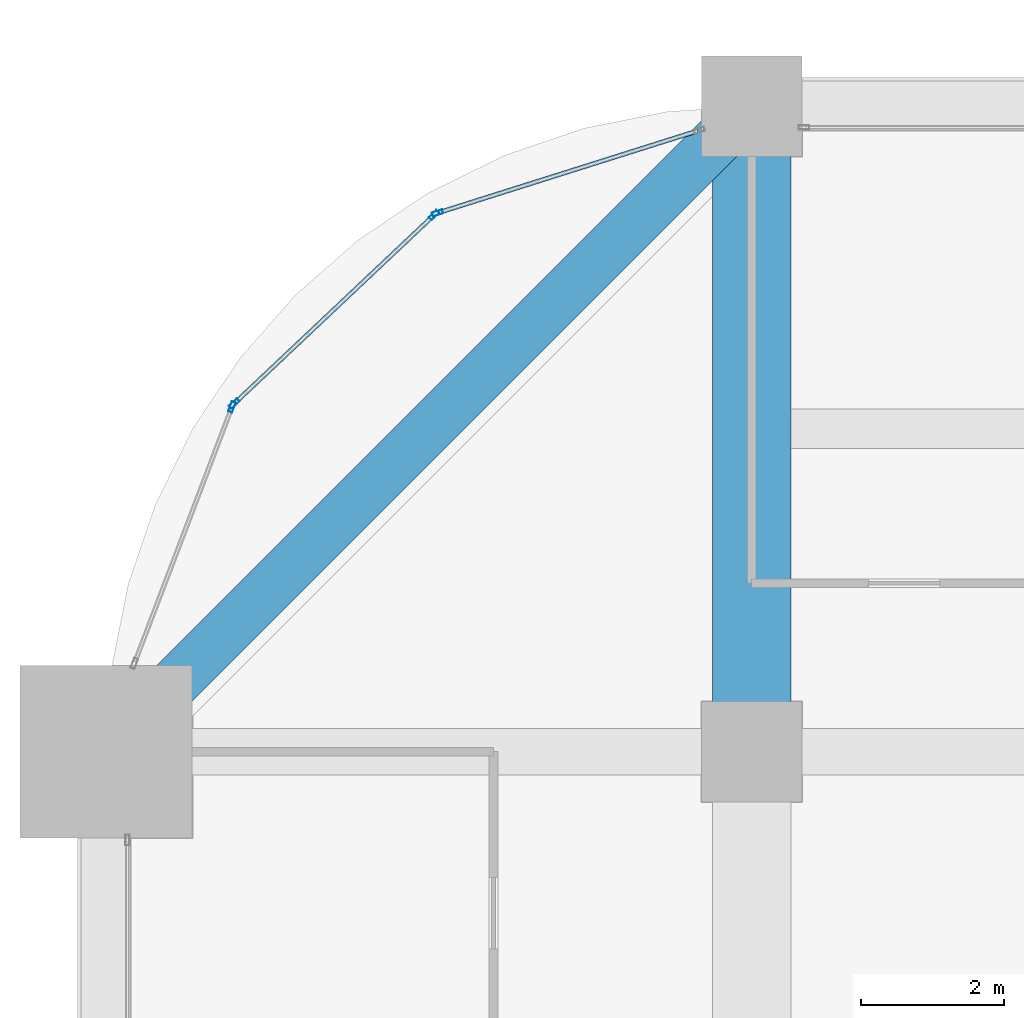
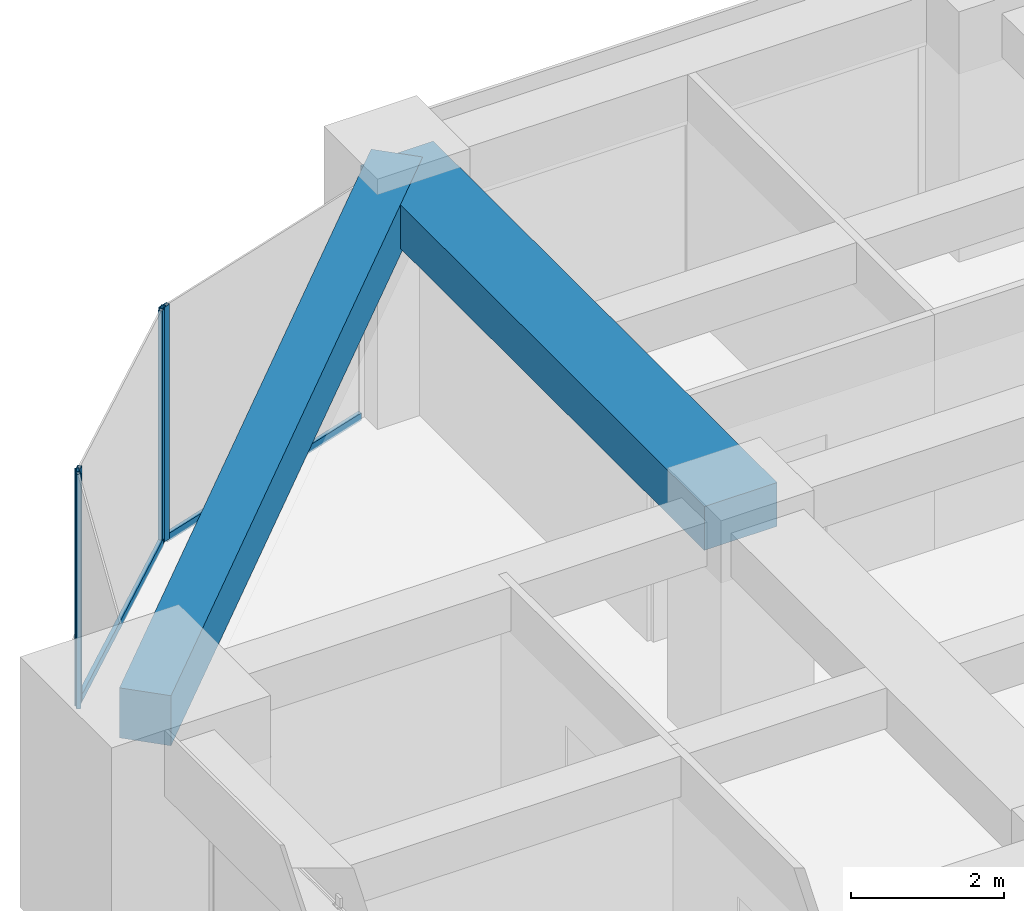
# One storey, part 22 of 34: 6 members, 2 beams, 3 elements without a shape of their own.
"""IFC4 building model written with IfcOpenShell, lengths in metres."""

from ifc_helpers import new_model, si_unit, direction, frame, origin, origin_2d, place, context, subcontext, project, spatial, rectangle, hollow_rectangle, extrude, material, material_profile, profile_set, type_object, element, aggregate, save


model = new_model("IFC4")

# Units and contexts
model_context = context("Model", 3, precision=1e-05, world=origin(), true_north=direction((0.0, 1.0)))
body_context = subcontext(model_context, "Body", "Model", "MODEL_VIEW")
ifc_project = project(units=[si_unit("LENGTHUNIT", "METRE"), si_unit("AREAUNIT", "SQUARE_METRE"), si_unit("VOLUMEUNIT", "CUBIC_METRE"), si_unit("PLANEANGLEUNIT", "RADIAN"), si_unit("MASSUNIT", "GRAM", prefix="KILO")], contexts=[model_context])

# Site, building, storey
site_placement = place(None, origin())
site = spatial("IfcSite", under=ifc_project, at=site_placement, CompositionType="ELEMENT")
building_placement = place(site_placement, origin())
building = spatial("IfcBuilding", under=site, at=building_placement, Name="Zorevar Civic Tower", CompositionType="ELEMENT")
storey_placement = place(building_placement, frame((0.0, 0.0, 214.199951171875)))
storey = spatial("IfcBuildingStorey", under=building, at=storey_placement, Name="L52", CompositionType="ELEMENT", Elevation=214.199951171875)

# Beam
ifc_material_1 = material(Name="Concrete C50/60", Category="concrete")
ifc_material_profile_1 = material_profile(ifc_material_1, rectangle(XDim=1.10009765625, YDim=0.699951171875, at=origin_2d()), Name="RC 1100x700")
ifc_profile_set_1 = profile_set([ifc_material_profile_1], Name="Concrete C50/60")
beam_type_1 = type_object("IfcBeamType", Name="Beam RC 1100x700", PredefinedType="BEAM", material=ifc_profile_set_1)
beam_1_placement = place(storey_placement, frame((9.0, 36.0, 3.400146484375), z_axis=(0.0, 1.0, 0.0), x_axis=(-1.0, 0.0, 0.0)))
element("IfcBeam", 1, at=beam_1_placement, inside=storey, type_object=beam_type_1, Name="Girder L53", PredefinedType="BEAM", context=body_context, shape_type="SweptSolid", body=[
    extrude(rectangle(XDim=1.10009765625, YDim=0.699951171875, at=origin_2d()), origin(), (0.0, 0.0, 1.0), 9.0),
])

# Curtain wall, member
ifc_material_2 = material(Name="Dark grey solar-control glass in black aluminium frame", Category="aluminium")
curtain_wall_type = type_object("IfcCurtainWallType", Name="Curtain wall CW4 high zone", PredefinedType="NOTDEFINED", material=ifc_material_2)
curtain_wall_1_placement = place(storey_placement, origin())
curtain_wall_1 = element("IfcCurtainWall", 2, at=curtain_wall_1_placement, inside=storey, type_object=curtain_wall_type, Name="CW4 L52", PredefinedType="NOTDEFINED")
ifc_material_3 = material(Name="Aluminium, black anodised", Category="aluminium")
ifc_material_profile_2 = material_profile(ifc_material_3, hollow_rectangle(XDim=0.06005859375, YDim=0.14990234375, WallThickness=0.00390625, at=origin_2d()), Name="AL 150x60x4")
ifc_profile_set_2 = profile_set([ifc_material_profile_2], Name="Aluminium, black anodised")
member_type_1 = type_object("IfcMemberType", Name="CW4 mullion AL 150x60x4", PredefinedType="MULLION", material=ifc_profile_set_2)
member_1_placement = place(storey_placement, frame((4.62158203125, 43.51025390625, 0.0), z_axis=(0.0, 0.0, 1.0), x_axis=(0.301108296077, -0.953589950678, 0.0)))
member_1 = element("IfcMember", 3, at=member_1_placement, type_object=member_type_1, Name="CW4 mullion 2", PredefinedType="MULLION", context=body_context, shape_type="SweptSolid", body=[
    extrude(hollow_rectangle(XDim=0.06005859375, YDim=0.14990234375, WallThickness=0.00390625, at=origin_2d()), origin(), (0.0, 0.0, 1.0), 3.75),
])

# Curtain wall, members
curtain_wall_2_placement = place(storey_placement, origin())
curtain_wall_2 = element("IfcCurtainWall", 4, at=curtain_wall_2_placement, inside=storey, type_object=curtain_wall_type, Name="CW4 L52", PredefinedType="NOTDEFINED")
member_2_placement = place(storey_placement, frame((4.5712890625, 43.480712890625, 0.0), z_axis=(0.0, 0.0, 1.0), x_axis=(0.686377907265, -0.727245053898, 0.0)))
member_2 = element("IfcMember", 5, at=member_2_placement, type_object=member_type_1, Name="CW4 mullion 1", PredefinedType="MULLION", context=body_context, shape_type="SweptSolid", body=[
    extrude(hollow_rectangle(XDim=0.06005859375, YDim=0.14990234375, WallThickness=0.00390625, at=origin_2d()), origin(), (0.0, 0.0, 1.0), 3.75),
])
member_3_placement = place(storey_placement, frame((1.787841796875, 40.853759765625, 0.0), z_axis=(0.0, 0.0, 1.0), x_axis=(0.686377907265, -0.727245053898, 0.0)))
member_3 = element("IfcMember", 6, at=member_3_placement, type_object=member_type_1, Name="CW4 mullion 2", PredefinedType="MULLION", context=body_context, shape_type="SweptSolid", body=[
    extrude(hollow_rectangle(XDim=0.06005859375, YDim=0.14990234375, WallThickness=0.00390625, at=origin_2d()), origin(), (0.0, 0.0, 1.0), 3.75),
])

# Curtain wall, member
curtain_wall_3_placement = place(storey_placement, origin())
curtain_wall_3 = element("IfcCurtainWall", 7, at=curtain_wall_3_placement, inside=storey, type_object=curtain_wall_type, Name="CW4 L52", PredefinedType="NOTDEFINED")
member_4_placement = place(storey_placement, frame((1.75537109375, 40.804931640625, 0.0), z_axis=(0.0, 0.0, 1.0), x_axis=(0.93458842801, -0.355730895803, 0.0)))
member_4 = element("IfcMember", 8, at=member_4_placement, type_object=member_type_1, Name="CW4 mullion 1", PredefinedType="MULLION", context=body_context, shape_type="SweptSolid", body=[
    extrude(hollow_rectangle(XDim=0.06005859375, YDim=0.14990234375, WallThickness=0.00390625, at=origin_2d()), origin(), (0.0, 0.0, 1.0), 3.75),
])
aggregate(curtain_wall_3, [member_4])

# Member
ifc_material_4 = material(Name="Aluminium, black anodised", Category="aluminium")
ifc_material_profile_3 = material_profile(ifc_material_4, hollow_rectangle(XDim=0.06005859375, YDim=0.1201171875, WallThickness=0.0029296875, at=origin_2d()), Name="AL 120x60x3")
ifc_profile_set_3 = profile_set([ifc_material_profile_3], Name="Aluminium, black anodised")
member_type_2 = type_object("IfcMemberType", Name="CW4 transom AL 120x60x3", PredefinedType="USERDEFINED", material=ifc_profile_set_3)
member_5_placement = place(storey_placement, frame((8.24267578125, 44.653564453125, 0.030029296875), z_axis=(-0.953592459367, -0.301100351109, 0.0), x_axis=(0.301100351109, -0.953592459367, 0.0)))
member_5 = element("IfcMember", 9, at=member_5_placement, type_object=member_type_2, Name="CW4 sill transom", ObjectType="TRANSOM", PredefinedType="USERDEFINED", context=body_context, shape_type="SweptSolid", body=[
    extrude(hollow_rectangle(XDim=0.06005859375, YDim=0.1201171875, WallThickness=0.0029296875, at=origin_2d()), origin(), (0.0, 0.0, 1.0), 3.76708984375),
])

aggregate(curtain_wall_1, [member_1, member_5])

member_6_placement = place(storey_placement, frame((4.549560546875, 43.4599609375, 0.030029296875), z_axis=(-0.727288059227, -0.686332338526, 0.0), x_axis=(0.686332338526, -0.727288059227, 0.0)))
member_6 = element("IfcMember", 10, at=member_6_placement, type_object=member_type_2, Name="CW4 sill transom", ObjectType="TRANSOM", PredefinedType="USERDEFINED", context=body_context, shape_type="SweptSolid", body=[
    extrude(hollow_rectangle(XDim=0.06005859375, YDim=0.1201171875, WallThickness=0.0029296875, at=origin_2d()), origin(), (0.0, 0.0, 1.0), 3.767333984375),
])

aggregate(curtain_wall_2, [member_2, member_3, member_6])

# Beam
ifc_material_5 = material(Name="Concrete C50/60", Category="concrete")
ifc_material_profile_4 = material_profile(ifc_material_5, rectangle(XDim=0.699951171875, YDim=0.800048828125, at=origin_2d()), Name="RC 700x800")
ifc_profile_set_4 = profile_set([ifc_material_profile_4], Name="Concrete C50/60")
beam_type_2 = type_object("IfcBeamType", Name="Edge beam RC 700x800", PredefinedType="SPANDREL", material=ifc_profile_set_4)
beam_2_placement = place(storey_placement, frame((9.0, 45.0, 3.35009765625), z_axis=(-0.707106781187, -0.707106781187, 0.0), x_axis=(0.707106781187, -0.707106781187, 0.0)))
element("IfcBeam", 11, at=beam_2_placement, inside=storey, type_object=beam_type_2, Name="Corner edge beam L53", PredefinedType="SPANDREL", context=body_context, shape_type="SweptSolid", body=[
    extrude(rectangle(XDim=0.699951171875, YDim=0.800048828125, at=origin_2d()), origin(), (0.0, 0.0, 1.0), 12.72802734375),
])

save(model, "model.ifc")
